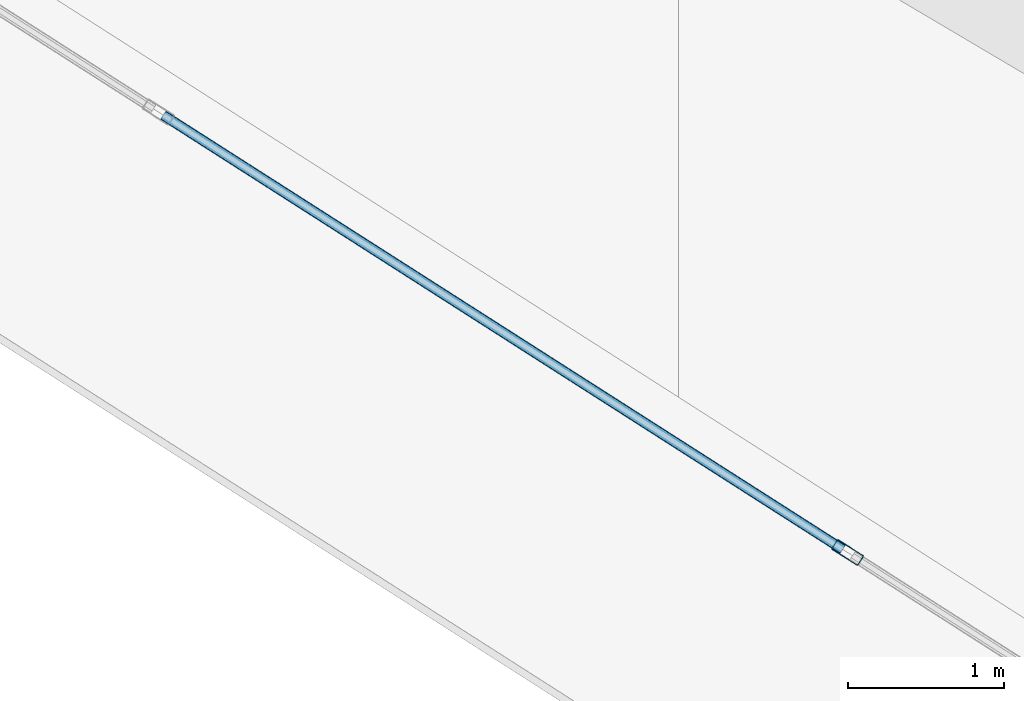
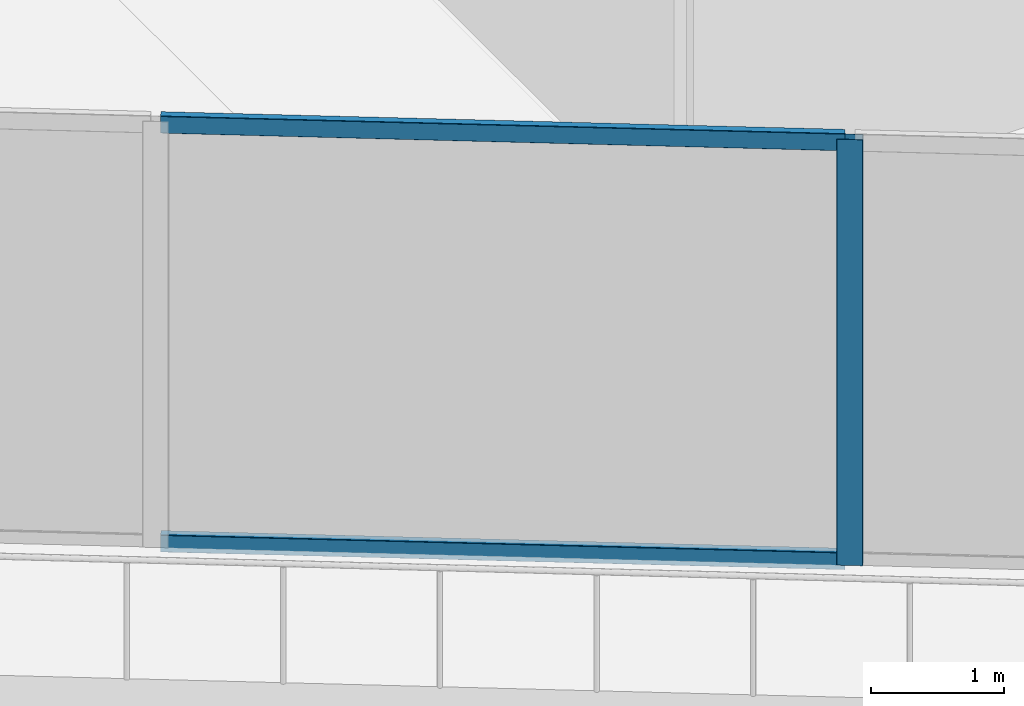
# One storey, part 4 of 44: 3 members, 1 element without a shape of its own.
"""IFC4 building model written with IfcOpenShell, lengths in metres."""

from ifc_helpers import new_model, si_unit, direction, frame, origin, origin_2d, place, context, subcontext, project, spatial, hollow_rectangle, extrude, material, layer, layer_set, material_profile, profile_set, type_object, element, aggregate, save


model = new_model("IFC4")

# Units and contexts
model_context = context("Model", 3, precision=1e-05, world=origin(), true_north=direction((0.0, 1.0)))
body_context = subcontext(model_context, "Body", "Model", "MODEL_VIEW")
ifc_project = project(units=[si_unit("LENGTHUNIT", "METRE"), si_unit("AREAUNIT", "SQUARE_METRE"), si_unit("VOLUMEUNIT", "CUBIC_METRE"), si_unit("PLANEANGLEUNIT", "RADIAN"), si_unit("MASSUNIT", "GRAM", prefix="KILO")], contexts=[model_context])

# Site, building, storey
site_placement = place(None, origin())
site = spatial("IfcSite", under=ifc_project, at=site_placement, CompositionType="ELEMENT")
building_placement = place(site_placement, origin())
building = spatial("IfcBuilding", under=site, at=building_placement, Name="Qorvath Tower", CompositionType="ELEMENT")
storey_placement = place(building_placement, frame((0.0, 0.0, 78.60009765625)))
storey = spatial("IfcBuildingStorey", under=building, at=storey_placement, Name="L17", CompositionType="ELEMENT", Elevation=78.60009765625)

# Curtain wall, members
ifc_material_1 = material(Name="Anodised aluminium and triple low-E glass", Category="aluminium")
ifc_layer = layer(ifc_material_1, 0.179931640625)
ifc_layer_set = layer_set([ifc_layer], Name="CW-SYS-5")
curtain_wall_type = type_object("IfcCurtainWallType", Name="CW-SYS-5", PredefinedType="NOTDEFINED", material=ifc_layer_set)
curtain_wall_placement = place(storey_placement, origin())
curtain_wall = element("IfcCurtainWall", 1, at=curtain_wall_placement, inside=storey, type_object=curtain_wall_type, Name="Curtain Wall CW-5 CW-T-L17-6.1", PredefinedType="NOTDEFINED")
ifc_material_2 = material(Name="Anodised aluminium 6063-T6", Category="aluminium")
ifc_material_profile_1 = material_profile(ifc_material_2, hollow_rectangle(XDim=0.074951171875, YDim=0.199951171875, WallThickness=0.00390625, InnerFilletRadius=0.00390625, OuterFilletRadius=0.008056640625, at=origin_2d()), Name="CWM 200x75")
ifc_profile_set_1 = profile_set([ifc_material_profile_1], Name="Anodised aluminium 6063-T6")
member_type_1 = type_object("IfcMemberType", Name="CWM-200", PredefinedType="MULLION", material=ifc_profile_set_1)
member_1_placement = place(storey_placement, frame((-41.73828125, -15.31591796875, 0.0), z_axis=(0.0, 0.0, 1.0), x_axis=(0.538533177038, 0.842604306439, 0.0)))
member_1 = element("IfcMember", 2, at=member_1_placement, type_object=member_type_1, Name="CW-5 mullion 5", PredefinedType="MULLION", context=body_context, shape_type="SweptSolid", body=[
    extrude(hollow_rectangle(XDim=0.074951171875, YDim=0.199951171875, WallThickness=0.00390625, InnerFilletRadius=0.00390625, OuterFilletRadius=0.008056640625, at=origin_2d()), origin(), (0.0, 0.0, 1.0), 3.919921875),
])
ifc_material_3 = material(Name="Anodised aluminium 6063-T6", Category="aluminium")
ifc_material_profile_2 = material_profile(ifc_material_3, hollow_rectangle(XDim=0.06494140625, YDim=0.159912109375, WallThickness=0.00341796875, InnerFilletRadius=0.00341796875, OuterFilletRadius=0.007080078125, at=origin_2d()), Name="CWT 160x65")
ifc_profile_set_2 = profile_set([ifc_material_profile_2], Name="Anodised aluminium 6063-T6")
member_type_2 = type_object("IfcMemberType", Name="CWT-160", PredefinedType="USERDEFINED", material=ifc_profile_set_2)
member_2_placement = place(storey_placement, frame((-46.12109375, -12.514892578125, 0.032470703125), z_axis=(0.842630116511, -0.538492791733, 0.0), x_axis=(0.538492791733, 0.842630116511, 0.0)))
member_2 = element("IfcMember", 3, at=member_2_placement, type_object=member_type_2, Name="CW-5 transom 4.1", ObjectType="TRANSOM", PredefinedType="USERDEFINED", context=body_context, shape_type="SweptSolid", body=[
    extrude(hollow_rectangle(XDim=0.06494140625, YDim=0.159912109375, WallThickness=0.00341796875, InnerFilletRadius=0.00341796875, OuterFilletRadius=0.007080078125, at=origin_2d()), origin(), (0.0, 0.0, 1.0), 5.1640625),
])
member_3_placement = place(storey_placement, frame((-46.12109375, -12.514892578125, 3.887451171875), z_axis=(0.842630116511, -0.538492791733, 0.0), x_axis=(0.538492791733, 0.842630116511, 0.0)))
member_3 = element("IfcMember", 4, at=member_3_placement, type_object=member_type_2, Name="CW-5 transom 4.2", ObjectType="TRANSOM", PredefinedType="USERDEFINED", context=body_context, shape_type="SweptSolid", body=[
    extrude(hollow_rectangle(XDim=0.06494140625, YDim=0.159912109375, WallThickness=0.00341796875, InnerFilletRadius=0.00341796875, OuterFilletRadius=0.007080078125, at=origin_2d()), origin(), (0.0, 0.0, 1.0), 5.1640625),
])
aggregate(curtain_wall, [member_1, member_2, member_3])

save(model, "model.ifc")
